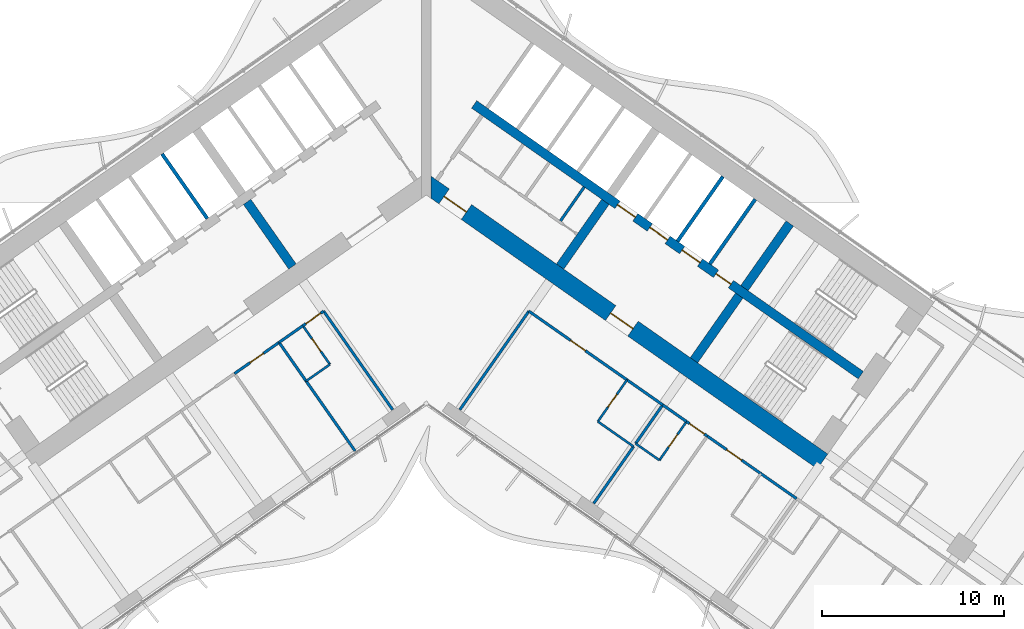
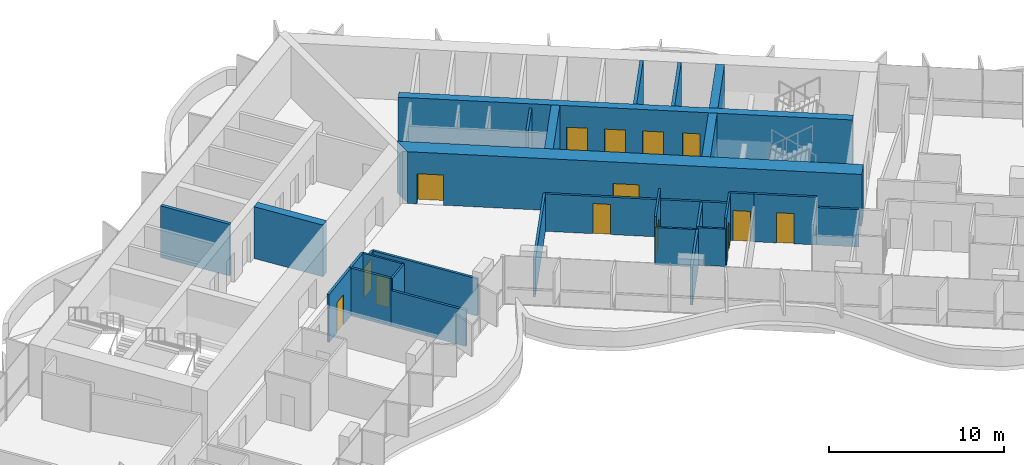
# One storey, part 15 of 25: 31 walls, 14 doors, 14 openings.
"""IFC4 building model written with IfcOpenShell, lengths in metres."""

from ifc_helpers import new_model, si_unit, direction, frame, frame_2d, origin, place, context, subcontext, project, spatial, polyline, rectangle, outline, extrude, material, layer, layer_set, type_object, element, fill, save


model = new_model("IFC4")

# Units and contexts
model_context = context("Model", 3, precision=1e-05, world=origin(), true_north=direction((0.0, 1.0)))
body_context = subcontext(model_context, "Body", "Model", "MODEL_VIEW")
ifc_project = project(units=[si_unit("LENGTHUNIT", "METRE"), si_unit("AREAUNIT", "SQUARE_METRE"), si_unit("VOLUMEUNIT", "CUBIC_METRE"), si_unit("PLANEANGLEUNIT", "RADIAN"), si_unit("MASSUNIT", "GRAM", prefix="KILO")], contexts=[model_context])

# Site, building, storey
site_placement = place(None, origin())
site = spatial("IfcSite", under=ifc_project, at=site_placement, CompositionType="ELEMENT")
building_placement = place(site_placement, origin())
building = spatial("IfcBuilding", under=site, at=building_placement, Name="Tel Ilan Convention Tower", CompositionType="ELEMENT")
storey_placement = place(building_placement, frame((0.0, 0.0, 97.699951171875)))
storey = spatial("IfcBuildingStorey", under=building, at=storey_placement, Name="L20", CompositionType="ELEMENT", Elevation=97.699951171875)

# Wall
ifc_material_1 = material(Name="Gypsum Plasterboard on Steel Stud", Category="steel")
ifc_layer_1 = layer(ifc_material_1, 0.14990234375)
ifc_layer_set_1 = layer_set([ifc_layer_1], Name="Core Room Partition Wall 150 mm EI 60")
wall_type_1 = type_object("IfcWallType", Name="Core Room Partition Wall 150 mm EI 60", PredefinedType="PARTITIONING", material=ifc_layer_set_1)
wall_1_placement = place(storey_placement, frame((7.395263671875, -2.64501953125, 0.0), z_axis=(0.0, 0.0, 1.0), x_axis=(0.573599181114, 0.819136117764, 0.0)))
element("IfcWall", 1, at=wall_1_placement, inside=storey, type_object=wall_type_1, Name="L20 core wall wc-v2", PredefinedType="PARTITIONING", context=body_context, shape_type="SweptSolid", body=[
    extrude(rectangle(XDim=2.27490234375, YDim=0.14990234375, at=frame_2d((1.137451171875, 0.0))), origin(), (0.0, 0.0, 1.0), 3.320068359375),
])

# Wall, openings, doors
ifc_material_2 = material(Name="Concrete C60/75", Category="concrete")
ifc_layer_2 = layer(ifc_material_2, 1.0)
ifc_layer_set_2 = layer_set([ifc_layer_2], Name="Core Shear Wall 1000 mm C60/75")
wall_type_2 = type_object("IfcWallType", Name="Core Shear Wall 1000 mm C60/75", PredefinedType="SHEAR", material=ifc_layer_set_2)
wall_2_placement = place(storey_placement, frame((-0.036865234375, -0.584716796875, 0.0), z_axis=(0.0, 0.0, 1.0), x_axis=(0.819157152511, -0.573569140985, 0.0)))
wall_2 = element("IfcWall", 2, at=wall_2_placement, inside=storey, type_object=wall_type_2, Name="L20 core wall E-front", PredefinedType="SHEAR", context=body_context, shape_type="SweptSolid", body=[
    extrude(outline(polyline([(26.69482421875, 0.499755859375), (0.0, 0.5), (0.7001953125, -0.499755859375), (26.69482421875, -0.500244140625), (26.69482421875, 0.499755859375)])), origin(), (0.0, 0.0, 1.0), 3.60009765625),
])
opening_1_placement = place(wall_2_placement, frame((1.244873046875, 0.0, 0.0)))
opening_1 = element("IfcOpeningElement", 3, at=opening_1_placement, cuts=wall_2, Name="Opening CD1803", PredefinedType="OPENING", context=body_context, shape_type="SweptSolid", body=[
    extrude(rectangle(XDim=1.5, YDim=2.10009765625, at=frame_2d((0.75, 1.050048828125))), frame((0.0, 0.510009765625, 0.0), z_axis=(0.0, -1.0, 0.0), x_axis=(1.0, 0.0, 0.0)), (0.0, 0.0, 1.0), 1.02001953125),
])
opening_2_placement = place(wall_2_placement, frame((12.44482421875, 0.0, 0.0)))
opening_2 = element("IfcOpeningElement", 4, at=opening_2_placement, cuts=wall_2, Name="Opening CD1804", PredefinedType="OPENING", context=body_context, shape_type="SweptSolid", body=[
    extrude(rectangle(XDim=1.5, YDim=2.10009765625, at=frame_2d((0.75, 1.050048828125))), frame((0.0, 0.510009765625, 0.0), z_axis=(0.0, -1.0, 0.0), x_axis=(1.0, 0.0, 0.0)), (0.0, 0.0, 1.0), 1.02001953125),
])
ifc_material_3 = material(Name="Glazed Aluminium Door Leaf", Category="aluminium")
door_type_1 = type_object("IfcDoorType", Name="Lobby Opening Door 1500 x 2100 FD60S", OperationType="NOTDEFINED", PredefinedType="DOOR", material=ifc_material_3)
door_1_placement = place(opening_2_placement, origin())
door_1 = element("IfcDoor", 5, at=door_1_placement, inside=storey, type_object=door_type_1, Name="Firefighting Lobby door", OperationType="DOUBLE_DOOR_SINGLE_SWING", OverallHeight=2.10009765625, OverallWidth=1.5, PredefinedType="DOOR", context=body_context, shape_type="SweptSolid", body=[
    extrude(rectangle(XDim=1.5, YDim=2.10009765625, at=frame_2d((0.75, 1.050048828125))), frame((0.0, 0.02490234375, 0.0), z_axis=(0.0, -1.0, 0.0), x_axis=(1.0, 0.0, 0.0)), (0.0, 0.0, 1.0), 0.050048828125),
])
fill(opening_2, door_1)
ifc_material_4 = material(Name="Laminated Timber Door Leaf", Category="wood")
door_type_2 = type_object("IfcDoorType", Name="Toilet Door 1500 x 2100 FD30S", OperationType="NOTDEFINED", PredefinedType="DOOR", material=ifc_material_4)
door_2_placement = place(opening_1_placement, origin())
door_2 = element("IfcDoor", 6, at=door_2_placement, inside=storey, type_object=door_type_2, Name="WC Lobby door", OperationType="SINGLE_SWING_RIGHT", OverallHeight=2.10009765625, OverallWidth=1.5, PredefinedType="DOOR", context=body_context, shape_type="SweptSolid", body=[
    extrude(rectangle(XDim=1.5, YDim=2.10009765625, at=frame_2d((0.75, 1.050048828125))), frame((0.0, 0.02490234375, 0.0), z_axis=(0.0, -1.0, 0.0), x_axis=(1.0, 0.0, 0.0)), (0.0, 0.0, 1.0), 0.050048828125),
])
fill(opening_1, door_2)

# Walls
ifc_material_5 = material(Name="Concrete C60/75", Category="concrete")
ifc_layer_3 = layer(ifc_material_5, 0.5)
ifc_layer_set_3 = layer_set([ifc_layer_3], Name="Core Shear Wall 500 mm C60/75")
wall_type_3 = type_object("IfcWallType", Name="Core Shear Wall 500 mm C60/75", PredefinedType="SHEAR", material=ifc_layer_set_3)
wall_3_placement = place(storey_placement, frame((-7.372314453125, -5.162109375, 0.0), z_axis=(0.0, 0.0, 1.0), x_axis=(-0.573594173421, 0.819139624372, 0.0)))
element("IfcWall", 7, at=wall_3_placement, inside=storey, type_object=wall_type_3, Name="L20 core wall W-cross1-1", PredefinedType="SHEAR", context=body_context, shape_type="SweptSolid", body=[
    extrude(outline(polyline([(4.349853515625, 0.25), (0.0, 0.250244140625), (0.0, -0.25), (4.349853515625, -0.25), (4.349853515625, 0.25)])), origin(), (0.0, 0.0, 1.0), 3.60009765625),
])
wall_4_placement = place(storey_placement, frame((7.372314453125, -5.162109375, 0.0), z_axis=(0.0, 0.0, 1.0), x_axis=(0.573594173421, 0.819139624372, 0.0)))
element("IfcWall", 8, at=wall_4_placement, inside=storey, type_object=wall_type_3, Name="L20 core wall E-cross1-1", PredefinedType="SHEAR", context=body_context, shape_type="SweptSolid", body=[
    extrude(outline(polyline([(0.0, 0.25), (0.0, -0.250244140625), (4.349853515625, -0.25), (4.349853515625, 0.25), (0.0, 0.25)])), origin(), (0.0, 0.0, 1.0), 3.60009765625),
])
wall_5_placement = place(storey_placement, frame((14.74462890625, -10.324462890625, 0.0), z_axis=(0.0, 0.0, 1.0), x_axis=(0.57356780395, 0.819158088694, 0.0)))
element("IfcWall", 9, at=wall_5_placement, inside=storey, type_object=wall_type_3, Name="L20 core wall E-cross2-1", PredefinedType="SHEAR", context=body_context, shape_type="SweptSolid", body=[
    extrude(outline(polyline([(0.0, 0.25), (0.0, -0.25), (4.35009765625, -0.250244140625), (4.35009765625, 0.25), (0.0, 0.25)])), origin(), (0.0, 0.0, 1.0), 3.60009765625),
])
wall_6_placement = place(storey_placement, frame((17.526611328125, -6.3515625, 0.0), z_axis=(0.0, 0.0, 1.0), x_axis=(0.573530143085, 0.819184457233, 0.0)))
element("IfcWall", 10, at=wall_6_placement, inside=storey, type_object=wall_type_3, Name="L20 core wall E-cross2-2", PredefinedType="SHEAR", context=body_context, shape_type="SweptSolid", body=[
    extrude(outline(polyline([(4.35009765625, -0.250244140625), (4.35009765625, 0.249755859375), (0.0, 0.25), (0.0, -0.25), (4.35009765625, -0.250244140625)])), origin(), (0.0, 0.0, 1.0), 3.60009765625),
])

# Wall, openings, doors
wall_7_placement = place(storey_placement, frame((2.638427734375, 3.76806640625, 0.0), z_axis=(0.0, 0.0, 1.0), x_axis=(0.819148977158, -0.573580816643, 0.0)))
wall_7 = element("IfcWall", 11, at=wall_7_placement, inside=storey, type_object=wall_type_3, Name="L20 core wall E-spine", PredefinedType="SHEAR", context=body_context, shape_type="SweptSolid", body=[
    extrude(outline(polyline([(0.0, 0.25), (0.0, -0.25), (26.0, -0.249755859375), (26.0, 0.250244140625), (0.0, 0.25)])), origin(), (0.0, 0.0, 1.0), 3.60009765625),
])
opening_3_placement = place(wall_7_placement, frame((9.637451171875, 0.0, 0.0)))
opening_3 = element("IfcOpeningElement", 12, at=opening_3_placement, cuts=wall_7, Name="Opening LD1801", PredefinedType="OPENING", context=body_context, shape_type="SweptSolid", body=[
    extrude(rectangle(XDim=1.199951171875, YDim=2.10009765625, at=frame_2d((0.60009765625, 1.050048828125))), frame((0.0, 0.260009765625, 0.0), z_axis=(0.0, -1.0, 0.0), x_axis=(1.0, 0.0, 0.0)), (0.0, 0.0, 1.0), 0.52001953125),
])
opening_4_placement = place(wall_7_placement, frame((11.8125, 0.0, 0.0)))
opening_4 = element("IfcOpeningElement", 13, at=opening_4_placement, cuts=wall_7, Name="Opening LD1802", PredefinedType="OPENING", context=body_context, shape_type="SweptSolid", body=[
    extrude(rectangle(XDim=1.199951171875, YDim=2.10009765625, at=frame_2d((0.60009765625, 1.050048828125))), frame((0.0, 0.260009765625, 0.0), z_axis=(0.0, -1.0, 0.0), x_axis=(1.0, 0.0, 0.0)), (0.0, 0.0, 1.0), 0.52001953125),
])
opening_5_placement = place(wall_7_placement, frame((13.987548828125, 0.0, 0.0)))
opening_5 = element("IfcOpeningElement", 14, at=opening_5_placement, cuts=wall_7, Name="Opening LD1803", PredefinedType="OPENING", context=body_context, shape_type="SweptSolid", body=[
    extrude(rectangle(XDim=1.199951171875, YDim=2.10009765625, at=frame_2d((0.60009765625, 1.050048828125))), frame((0.0, 0.260009765625, 0.0), z_axis=(0.0, -1.0, 0.0), x_axis=(1.0, 0.0, 0.0)), (0.0, 0.0, 1.0), 0.52001953125),
])
opening_6_placement = place(wall_7_placement, frame((16.262451171875, 0.0, 0.0)))
opening_6 = element("IfcOpeningElement", 15, at=opening_6_placement, cuts=wall_7, Name="Opening CD1807", PredefinedType="OPENING", context=body_context, shape_type="SweptSolid", body=[
    extrude(rectangle(XDim=1.0, YDim=2.10009765625, at=frame_2d((0.5, 1.050048828125))), frame((0.0, 0.260009765625, 0.0), z_axis=(0.0, -1.0, 0.0), x_axis=(1.0, 0.0, 0.0)), (0.0, 0.0, 1.0), 0.52001953125),
])
ifc_material_6 = material(Name="Stainless Steel Sliding Door Leaf", Category="steel")
door_type_3 = type_object("IfcDoorType", Name="Lift Landing Door 1200 x 2100 FD120", OperationType="NOTDEFINED", PredefinedType="DOOR", material=ifc_material_6)
door_3_placement = place(opening_3_placement, origin())
door_3 = element("IfcDoor", 16, at=door_3_placement, inside=storey, type_object=door_type_3, Name="Lift FL1 landing door", OperationType="SLIDING_TO_LEFT", OverallHeight=2.10009765625, OverallWidth=1.199951171875, PredefinedType="DOOR", context=body_context, shape_type="SweptSolid", body=[
    extrude(rectangle(XDim=1.199951171875, YDim=2.10009765625, at=frame_2d((0.60009765625, 1.050048828125))), frame((0.0, 0.02490234375, 0.0), z_axis=(0.0, -1.0, 0.0), x_axis=(1.0, 0.0, 0.0)), (0.0, 0.0, 1.0), 0.050048828125),
])
fill(opening_3, door_3)
door_4_placement = place(opening_4_placement, origin())
door_4 = element("IfcDoor", 17, at=door_4_placement, inside=storey, type_object=door_type_3, Name="Lift FL2 landing door", OperationType="SLIDING_TO_RIGHT", OverallHeight=2.10009765625, OverallWidth=1.199951171875, PredefinedType="DOOR", context=body_context, shape_type="SweptSolid", body=[
    extrude(rectangle(XDim=1.199951171875, YDim=2.10009765625, at=frame_2d((0.60009765625, 1.050048828125))), frame((0.0, 0.02490234375, 0.0), z_axis=(0.0, -1.0, 0.0), x_axis=(1.0, 0.0, 0.0)), (0.0, 0.0, 1.0), 0.050048828125),
])
fill(opening_4, door_4)
door_5_placement = place(opening_5_placement, origin())
door_5 = element("IfcDoor", 18, at=door_5_placement, inside=storey, type_object=door_type_3, Name="Lift FL3 landing door", OperationType="SLIDING_TO_LEFT", OverallHeight=2.10009765625, OverallWidth=1.199951171875, PredefinedType="DOOR", context=body_context, shape_type="SweptSolid", body=[
    extrude(rectangle(XDim=1.199951171875, YDim=2.10009765625, at=frame_2d((0.60009765625, 1.050048828125))), frame((0.0, 0.02490234375, 0.0), z_axis=(0.0, -1.0, 0.0), x_axis=(1.0, 0.0, 0.0)), (0.0, 0.0, 1.0), 0.050048828125),
])
fill(opening_5, door_5)
ifc_material_7 = material(Name="Galvanised Steel Door Leaf", Category="steel")
door_type_4 = type_object("IfcDoorType", Name="Service Room Door 1000 x 2100 FD60", OperationType="NOTDEFINED", PredefinedType="DOOR", material=ifc_material_7)
door_6_placement = place(opening_6_placement, origin())
door_6 = element("IfcDoor", 19, at=door_6_placement, inside=storey, type_object=door_type_4, Name="Plant Room door", OperationType="SINGLE_SWING_RIGHT", OverallHeight=2.10009765625, OverallWidth=1.0, PredefinedType="DOOR", context=body_context, shape_type="SweptSolid", body=[
    extrude(rectangle(XDim=1.0, YDim=2.10009765625, at=frame_2d((0.5, 1.050048828125))), frame((0.0, 0.02490234375, 0.0), z_axis=(0.0, -1.0, 0.0), x_axis=(1.0, 0.0, 0.0)), (0.0, 0.0, 1.0), 0.050048828125),
])
fill(opening_6, door_6)

# Wall, opening, door
ifc_material_8 = material(Name="Plasterboard on Steel Studs", Category="steel")
ifc_layer_4 = layer(ifc_material_8, 0.14990234375)
ifc_layer_set_4 = layer_set([ifc_layer_4], Name="Fire-rated Partition 150 EI 60")
wall_type_4 = type_object("IfcWallType", Name="Fire-rated Partition 150 EI 60", PredefinedType="PARTITIONING", material=ifc_layer_set_4)
wall_8_placement = place(storey_placement, frame((11.058837890625, -11.40576171875, 0.0), z_axis=(0.0, 0.0, 1.0), x_axis=(-0.819155459934, 0.573571558274, 0.0)))
wall_8 = element("IfcWall", 20, at=wall_8_placement, inside=storey, type_object=wall_type_4, Name="Partition 007", PredefinedType="PARTITIONING", context=body_context, shape_type="SweptSolid", body=[
    extrude(rectangle(XDim=6.60107421875, YDim=0.14990234375, at=frame_2d((3.300537109375, 0.0))), origin(), (0.0, 0.0, 1.0), 2.60009765625),
])
opening_7_placement = place(wall_8_placement, frame((2.801025390625, 0.0, 0.0)))
opening_7 = element("IfcOpeningElement", 21, at=opening_7_placement, cuts=wall_8, Name="Opening L20-019", PredefinedType="OPENING", context=body_context, shape_type="SweptSolid", body=[
    extrude(rectangle(XDim=1.0, YDim=2.10009765625, at=frame_2d((0.5, 1.050048828125))), frame((0.0, 0.0849609375, 0.0), z_axis=(0.0, -1.0, 0.0), x_axis=(1.0, 0.0, 0.0)), (0.0, 0.0, 1.0), 0.169921875),
])
ifc_material_9 = material(Name="Timber Door Leaf in Steel Frame", Category="steel")
door_type_5 = type_object("IfcDoorType", Name="Hotel Room Entrance Fire Door 1000x2100", OperationType="NOTDEFINED", PredefinedType="DOOR", material=ifc_material_9)
door_7_placement = place(opening_7_placement, origin())
door_7 = element("IfcDoor", 22, at=door_7_placement, inside=storey, type_object=door_type_5, Name="Door L20-019", OperationType="SINGLE_SWING_RIGHT", OverallHeight=2.10009765625, OverallWidth=1.0, PredefinedType="DOOR", context=body_context, shape_type="SweptSolid", body=[
    extrude(rectangle(XDim=1.0, YDim=2.10009765625, at=frame_2d((0.5, 1.050048828125))), frame((0.0, 0.02490234375, 0.0), z_axis=(0.0, -1.0, 0.0), x_axis=(1.0, 0.0, 0.0)), (0.0, 0.0, 1.0), 0.050048828125),
])
fill(opening_7, door_7)

# Wall
wall_9_placement = place(storey_placement, frame((13.025634765625, -12.782958984375, 0.0), z_axis=(0.0, 0.0, 1.0), x_axis=(-0.819146032251, 0.573585022335, 0.0)))
element("IfcWall", 23, at=wall_9_placement, inside=storey, type_object=wall_type_4, Name="Partition 008", PredefinedType="PARTITIONING", context=body_context, shape_type="SweptSolid", body=[
    extrude(rectangle(XDim=2.404052734375, YDim=0.14990234375, at=frame_2d((1.2021484375, 0.0))), origin(), (0.0, 0.0, 1.0), 2.60009765625),
])

# Wall, opening, door
wall_10_placement = place(storey_placement, frame((15.483154296875, -14.503662109375, 0.0), z_axis=(0.0, 0.0, 1.0), x_axis=(-0.819199220913, 0.573509055252, 0.0)))
wall_10 = element("IfcWall", 24, at=wall_10_placement, inside=storey, type_object=wall_type_4, Name="Partition 009", PredefinedType="PARTITIONING", context=body_context, shape_type="SweptSolid", body=[
    extrude(rectangle(XDim=1.403076171875, YDim=0.14990234375, at=frame_2d((0.70166015625, 0.0))), origin(), (0.0, 0.0, 1.0), 3.320068359375),
])
opening_8_placement = place(wall_10_placement, frame((0.201904296875, 0.0, 0.0)))
opening_8 = element("IfcOpeningElement", 25, at=opening_8_placement, cuts=wall_10, Name="Opening L20-021", PredefinedType="OPENING", context=body_context, shape_type="SweptSolid", body=[
    extrude(rectangle(XDim=1.0, YDim=2.10009765625, at=frame_2d((0.5, 1.050048828125))), frame((0.0, 0.0849609375, 0.0), z_axis=(0.0, -1.0, 0.0), x_axis=(1.0, 0.0, 0.0)), (0.0, 0.0, 1.0), 0.169921875),
])
door_8_placement = place(opening_8_placement, origin())
door_8 = element("IfcDoor", 26, at=door_8_placement, inside=storey, type_object=door_type_5, Name="Door L20-021", OperationType="SINGLE_SWING_RIGHT", OverallHeight=2.10009765625, OverallWidth=1.0, PredefinedType="DOOR", context=body_context, shape_type="SweptSolid", body=[
    extrude(rectangle(XDim=1.0, YDim=2.10009765625, at=frame_2d((0.5, 1.050048828125))), frame((0.0, 0.02490234375, 0.0), z_axis=(0.0, -1.0, 0.0), x_axis=(1.0, 0.0, 0.0)), (0.0, 0.0, 1.0), 0.050048828125),
])
fill(opening_8, door_8)

# Wall
wall_11_placement = place(storey_placement, frame((14.336181640625, -13.70068359375, 0.0), z_axis=(0.0, 0.0, 1.0), x_axis=(-0.819138938282, 0.573595153214, 0.0)))
element("IfcWall", 27, at=wall_11_placement, inside=storey, type_object=wall_type_4, Name="Partition 010", PredefinedType="PARTITIONING", context=body_context, shape_type="SweptSolid", body=[
    extrude(rectangle(XDim=1.603759765625, YDim=0.14990234375, at=frame_2d((0.8017578125, 0.0))), origin(), (0.0, 0.0, 1.0), 2.60009765625),
])

# Wall, opening, door
wall_12_placement = place(storey_placement, frame((18.43115234375, -16.568115234375, 0.0), z_axis=(0.0, 0.0, 1.0), x_axis=(-0.819145961204, 0.573585123798, 0.0)))
wall_12 = element("IfcWall", 28, at=wall_12_placement, inside=storey, type_object=wall_type_4, Name="Partition 011", PredefinedType="PARTITIONING", context=body_context, shape_type="SweptSolid", body=[
    extrude(rectangle(XDim=3.60302734375, YDim=0.14990234375, at=frame_2d((1.801513671875, 0.0))), origin(), (0.0, 0.0, 1.0), 3.320068359375),
])
opening_9_placement = place(wall_12_placement, frame((1.301025390625, 0.0, 0.0)))
opening_9 = element("IfcOpeningElement", 29, at=opening_9_placement, cuts=wall_12, Name="Opening L20-023", PredefinedType="OPENING", context=body_context, shape_type="SweptSolid", body=[
    extrude(rectangle(XDim=1.0, YDim=2.10009765625, at=frame_2d((0.5, 1.050048828125))), frame((0.0, 0.0849609375, 0.0), z_axis=(0.0, -1.0, 0.0), x_axis=(1.0, 0.0, 0.0)), (0.0, 0.0, 1.0), 0.169921875),
])
door_9_placement = place(opening_9_placement, origin())
door_9 = element("IfcDoor", 30, at=door_9_placement, inside=storey, type_object=door_type_5, Name="Door L20-023", OperationType="SINGLE_SWING_LEFT", OverallHeight=2.10009765625, OverallWidth=1.0, PredefinedType="DOOR", context=body_context, shape_type="SweptSolid", body=[
    extrude(rectangle(XDim=1.0, YDim=2.10009765625, at=frame_2d((0.5, 1.050048828125))), frame((0.0, 0.02490234375, 0.0), z_axis=(0.0, -1.0, 0.0), x_axis=(1.0, 0.0, 0.0)), (0.0, 0.0, 1.0), 0.050048828125),
])
fill(opening_9, door_9)

# Wall
wall_13_placement = place(storey_placement, frame((20.39794921875, -17.9453125, 0.0), z_axis=(0.0, 0.0, 1.0), x_axis=(-0.819146032251, 0.573585022335, 0.0)))
element("IfcWall", 31, at=wall_13_placement, inside=storey, type_object=wall_type_4, Name="Partition 012", PredefinedType="PARTITIONING", context=body_context, shape_type="SweptSolid", body=[
    extrude(rectangle(XDim=2.404052734375, YDim=0.14990234375, at=frame_2d((1.2021484375, 0.0))), origin(), (0.0, 0.0, 1.0), 2.60009765625),
])

# Wall, opening, door
wall_14_placement = place(storey_placement, frame((-5.651611328125, -7.61962890625, 0.0), z_axis=(0.0, 0.0, 1.0), x_axis=(-0.819207359301, -0.573497430219, 0.0)))
wall_14 = element("IfcWall", 32, at=wall_14_placement, inside=storey, type_object=wall_type_4, Name="Partition 024", PredefinedType="PARTITIONING", context=body_context, shape_type="SweptSolid", body=[
    extrude(rectangle(XDim=1.40087890625, YDim=0.14990234375, at=frame_2d((0.700439453125, 0.0))), origin(), (0.0, 0.0, 1.0), 2.60009765625),
])
opening_10_placement = place(wall_14_placement, frame((0.199951171875, 0.0, 0.0)))
opening_10 = element("IfcOpeningElement", 33, at=opening_10_placement, cuts=wall_14, Name="Opening L20-002", PredefinedType="OPENING", context=body_context, shape_type="SweptSolid", body=[
    extrude(rectangle(XDim=1.0, YDim=2.10009765625, at=frame_2d((0.5, 1.050048828125))), frame((0.0, 0.0849609375, 0.0), z_axis=(0.0, -1.0, 0.0), x_axis=(1.0, 0.0, 0.0)), (0.0, 0.0, 1.0), 0.169921875),
])
door_10_placement = place(opening_10_placement, origin())
door_10 = element("IfcDoor", 34, at=door_10_placement, inside=storey, type_object=door_type_5, Name="Door L20-002", OperationType="SINGLE_SWING_LEFT", OverallHeight=2.10009765625, OverallWidth=1.0, PredefinedType="DOOR", context=body_context, shape_type="SweptSolid", body=[
    extrude(rectangle(XDim=1.0, YDim=2.10009765625, at=frame_2d((0.5, 1.050048828125))), frame((0.0, 0.02490234375, 0.0), z_axis=(0.0, -1.0, 0.0), x_axis=(1.0, 0.0, 0.0)), (0.0, 0.0, 1.0), 0.050048828125),
])
fill(opening_10, door_10)

# Wall
wall_15_placement = place(storey_placement, frame((-6.796875, -8.42138671875, 0.0), z_axis=(0.0, 0.0, 1.0), x_axis=(-0.8190674132, -0.573697283098, 0.0)))
element("IfcWall", 35, at=wall_15_placement, inside=storey, type_object=wall_type_4, Name="Partition 025", PredefinedType="PARTITIONING", context=body_context, shape_type="SweptSolid", body=[
    extrude(rectangle(XDim=1.60400390625, YDim=0.14990234375, at=frame_2d((0.802001953125, 0.0))), origin(), (0.0, 0.0, 1.0), 3.320068359375),
])

# Wall, opening, door
wall_16_placement = place(storey_placement, frame((-8.107421875, -9.339111328125, 0.0), z_axis=(0.0, 0.0, 1.0), x_axis=(-0.819128818764, -0.573609604409, 0.0)))
wall_16 = element("IfcWall", 36, at=wall_16_placement, inside=storey, type_object=wall_type_4, Name="Partition 026", PredefinedType="PARTITIONING", context=body_context, shape_type="SweptSolid", body=[
    extrude(rectangle(XDim=3.004150390625, YDim=0.14990234375, at=frame_2d((1.501953125, 0.0))), origin(), (0.0, 0.0, 1.0), 3.320068359375),
])
opening_11_placement = place(wall_16_placement, frame((1.052001953125, 0.0, 0.0)))
opening_11 = element("IfcOpeningElement", 37, at=opening_11_placement, cuts=wall_16, Name="Opening L20-003", PredefinedType="OPENING", context=body_context, shape_type="SweptSolid", body=[
    extrude(rectangle(XDim=0.89990234375, YDim=2.10009765625, at=frame_2d((0.449951171875, 1.050048828125))), frame((0.0, 0.0849609375, 0.0), z_axis=(0.0, -1.0, 0.0), x_axis=(1.0, 0.0, 0.0)), (0.0, 0.0, 1.0), 0.169921875),
])
ifc_material_10 = material(Name="Timber Door Leaf in Steel Frame", Category="steel")
door_type_6 = type_object("IfcDoorType", Name="Room Fire Door 900x2100", OperationType="NOTDEFINED", PredefinedType="DOOR", material=ifc_material_10)
door_11_placement = place(opening_11_placement, origin())
door_11 = element("IfcDoor", 38, at=door_11_placement, inside=storey, type_object=door_type_6, Name="Door L20-003", OperationType="SINGLE_SWING_RIGHT", OverallHeight=2.10009765625, OverallWidth=0.89990234375, PredefinedType="DOOR", context=body_context, shape_type="SweptSolid", body=[
    extrude(rectangle(XDim=0.89990234375, YDim=2.10009765625, at=frame_2d((0.449951171875, 1.050048828125))), frame((0.0, 0.02490234375, 0.0), z_axis=(0.0, -1.0, 0.0), x_axis=(1.0, 0.0, 0.0)), (0.0, 0.0, 1.0), 0.050048828125),
])
fill(opening_11, door_11)

# Walls
wall_17_placement = place(storey_placement, frame((11.41748046875, -15.076416015625, 0.0), z_axis=(0.0, 0.0, 1.0), x_axis=(-0.573594994199, -0.819139049631, 0.0)))
element("IfcWall", 39, at=wall_17_placement, inside=storey, type_object=wall_type_4, Name="Partition 052", PredefinedType="PARTITIONING", context=body_context, shape_type="SweptSolid", body=[
    extrude(rectangle(XDim=3.8291015625, YDim=0.14990234375, at=frame_2d((1.91455078125, 0.0))), origin(), (0.0, 0.0, 1.0), 2.60009765625),
])
wall_18_placement = place(storey_placement, frame((1.848876953125, -13.050537109375, 0.0), z_axis=(0.0, 0.0, 1.0), x_axis=(0.57357355307, 0.819154063177, 0.0)))
element("IfcWall", 40, at=wall_18_placement, inside=storey, type_object=wall_type_4, Name="Partition 053", PredefinedType="PARTITIONING", context=body_context, shape_type="SweptSolid", body=[
    extrude(rectangle(XDim=6.6298828125, YDim=0.14990234375, at=frame_2d((3.31494140625, 0.0))), origin(), (0.0, 0.0, 1.0), 2.60009765625),
])
wall_19_placement = place(storey_placement, frame((13.02392578125, -12.78173828125, 0.0), z_axis=(0.0, 0.0, 1.0), x_axis=(-0.573544201094, -0.819174614714, 0.0)))
element("IfcWall", 41, at=wall_19_placement, inside=storey, type_object=wall_type_4, Name="Partition 054", PredefinedType="PARTITIONING", context=body_context, shape_type="SweptSolid", body=[
    extrude(rectangle(XDim=2.60205078125, YDim=0.14990234375, at=frame_2d((1.301025390625, 0.0))), origin(), (0.0, 0.0, 1.0), 2.60009765625),
])
wall_20_placement = place(storey_placement, frame((-1.848876953125, -13.050537109375, 0.0), z_axis=(0.0, 0.0, 1.0), x_axis=(-0.573575988258, 0.819152358047, 0.0)))
element("IfcWall", 42, at=wall_20_placement, inside=storey, type_object=wall_type_4, Name="Partition 071", PredefinedType="PARTITIONING", context=body_context, shape_type="SweptSolid", body=[
    extrude(rectangle(XDim=6.632080078125, YDim=0.14990234375, at=frame_2d((3.31591796875, 0.0))), origin(), (0.0, 0.0, 1.0), 2.60009765625),
])
wall_21_placement = place(storey_placement, frame((-3.922119140625, -15.3203125, 0.0), z_axis=(0.0, 0.0, 1.0), x_axis=(-0.573535567792, 0.819180659243, 0.0)))
element("IfcWall", 43, at=wall_21_placement, inside=storey, type_object=wall_type_4, Name="Partition 085", PredefinedType="PARTITIONING", context=body_context, shape_type="SweptSolid", body=[
    extrude(rectangle(XDim=4.698974609375, YDim=0.14990234375, at=frame_2d((2.349609375, 0.0))), origin(), (0.0, 0.0, 1.0), 2.5),
])
wall_22_placement = place(storey_placement, frame((-6.617919921875, -11.47021484375, 0.0), z_axis=(0.0, 0.0, 1.0), x_axis=(-0.573537965655, 0.819178980414, 0.0)))
element("IfcWall", 44, at=wall_22_placement, inside=storey, type_object=wall_type_4, Name="Partition 086", PredefinedType="PARTITIONING", context=body_context, shape_type="SweptSolid", body=[
    extrude(rectangle(XDim=2.60009765625, YDim=0.14990234375, at=frame_2d((1.300048828125, 0.0))), origin(), (0.0, 0.0, 1.0), 3.320068359375),
])
ifc_material_11 = material(Name="Concrete C30/37", Category="concrete")
ifc_layer_5 = layer(ifc_material_11, 0.199951171875)
ifc_layer_set_5 = layer_set([ifc_layer_5], Name="Lift Shaft Wall 200 mm C30/37")
wall_type_5 = type_object("IfcWallType", Name="Lift Shaft Wall 200 mm C30/37", PredefinedType="SOLIDWALL", material=ifc_layer_set_5)
wall_23_placement = place(storey_placement, frame((-12.05859375, -2.52294921875, 0.0), z_axis=(0.0, 0.0, 1.0), x_axis=(-0.573594173421, 0.819139624372, 0.0)))
element("IfcWall", 45, at=wall_23_placement, inside=storey, type_object=wall_type_5, Name="L20 core wall bank-W2-p0", PredefinedType="SOLIDWALL", context=body_context, shape_type="SweptSolid", body=[
    extrude(rectangle(XDim=4.349853515625, YDim=0.199951171875, at=frame_2d((2.1748046875, 0.0))), origin(), (0.0, 0.0, 1.0), 3.60009765625),
])
wall_24_placement = place(storey_placement, frame((13.84033203125, -3.7705078125, 0.0), z_axis=(0.0, 0.0, 1.0), x_axis=(0.57356780395, 0.819158088694, 0.0)))
element("IfcWall", 46, at=wall_24_placement, inside=storey, type_object=wall_type_5, Name="L20 core wall bank-E2-p1", PredefinedType="SOLIDWALL", context=body_context, shape_type="SweptSolid", body=[
    extrude(rectangle(XDim=4.35009765625, YDim=0.199951171875, at=frame_2d((2.175048828125, 0.0))), origin(), (0.0, 0.0, 1.0), 3.60009765625),
])
wall_25_placement = place(storey_placement, frame((15.6220703125, -5.017822265625, 0.0), z_axis=(0.0, 0.0, 1.0), x_axis=(0.573594173421, 0.819139624372, 0.0)))
element("IfcWall", 47, at=wall_25_placement, inside=storey, type_object=wall_type_5, Name="L20 core wall bank-E2-p2", PredefinedType="SOLIDWALL", context=body_context, shape_type="SweptSolid", body=[
    extrude(rectangle(XDim=4.349853515625, YDim=0.199951171875, at=frame_2d((2.1748046875, 0.0))), origin(), (0.0, 0.0, 1.0), 3.60009765625),
])

# Wall, opening, door
ifc_material_12 = material(Name="Plasterboard on Steel Studs", Category="steel")
ifc_layer_6 = layer(ifc_material_12, 0.1201171875)
ifc_layer_set_6 = layer_set([ifc_layer_6], Name="Moisture-resistant Partition 120")
wall_type_6 = type_object("IfcWallType", Name="Moisture-resistant Partition 120", PredefinedType="PARTITIONING", material=ifc_layer_set_6)
wall_26_placement = place(storey_placement, frame((11.05712890625, -11.40478515625, 0.0), z_axis=(0.0, 0.0, 1.0), x_axis=(-0.573591086599, -0.819141785879, 0.0)))
wall_26 = element("IfcWall", 48, at=wall_26_placement, inside=storey, type_object=wall_type_6, Name="Partition 050", PredefinedType="PARTITIONING", context=body_context, shape_type="SweptSolid", body=[
    extrude(rectangle(XDim=2.7998046875, YDim=0.1201171875, at=frame_2d((1.39990234375, 0.0))), origin(), (0.0, 0.0, 1.0), 3.320068359375),
])
opening_12_placement = place(wall_26_placement, frame((0.97509765625, 0.0, 0.0)))
opening_12 = element("IfcOpeningElement", 49, at=opening_12_placement, cuts=wall_26, Name="Opening L20-018", PredefinedType="OPENING", context=body_context, shape_type="SweptSolid", body=[
    extrude(rectangle(XDim=0.85009765625, YDim=2.050048828125, at=frame_2d((0.425048828125, 1.02490234375))), frame((0.0, 0.070068359375, 0.0), z_axis=(0.0, -1.0, 0.0), x_axis=(1.0, 0.0, 0.0)), (0.0, 0.0, 1.0), 0.14013671875),
])
ifc_material_13 = material(Name="Timber Door Leaf in Steel Frame", Category="steel")
door_type_7 = type_object("IfcDoorType", Name="Bathroom Timber Door 850x2050", OperationType="NOTDEFINED", PredefinedType="DOOR", material=ifc_material_13)
door_12_placement = place(opening_12_placement, origin())
door_12 = element("IfcDoor", 50, at=door_12_placement, inside=storey, type_object=door_type_7, Name="Door L20-018", OperationType="SINGLE_SWING_RIGHT", OverallHeight=2.050048828125, OverallWidth=0.85009765625, PredefinedType="DOOR", context=body_context, shape_type="SweptSolid", body=[
    extrude(rectangle(XDim=0.85009765625, YDim=2.050048828125, at=frame_2d((0.425048828125, 1.02490234375))), frame((0.0, 0.02490234375, 0.0), z_axis=(0.0, -1.0, 0.0), x_axis=(1.0, 0.0, 0.0)), (0.0, 0.0, 1.0), 0.050048828125),
])
fill(opening_12, door_12)

# Walls
wall_27_placement = place(storey_placement, frame((9.451416015625, -13.69970703125, 0.0), z_axis=(0.0, 0.0, 1.0), x_axis=(0.819141114317, -0.573592045652, 0.0)))
element("IfcWall", 51, at=wall_27_placement, inside=storey, type_object=wall_type_6, Name="Partition 051", PredefinedType="PARTITIONING", context=body_context, shape_type="SweptSolid", body=[
    extrude(rectangle(XDim=2.400146484375, YDim=0.1201171875, at=frame_2d((1.2001953125, 0.0))), origin(), (0.0, 0.0, 1.0), 2.60009765625),
])
wall_28_placement = place(storey_placement, frame((11.531982421875, -14.912353515625, 0.0), z_axis=(0.0, 0.0, 1.0), x_axis=(0.81918174131, -0.573534022273, 0.0)))
element("IfcWall", 52, at=wall_28_placement, inside=storey, type_object=wall_type_6, Name="Partition 055", PredefinedType="PARTITIONING", context=body_context, shape_type="SweptSolid", body=[
    extrude(rectangle(XDim=1.60009765625, YDim=0.1201171875, at=frame_2d((0.800048828125, 0.0))), origin(), (0.0, 0.0, 1.0), 2.60009765625),
])

# Wall, opening, door
wall_29_placement = place(storey_placement, frame((12.84423828125, -15.829833984375, 0.0), z_axis=(0.0, 0.0, 1.0), x_axis=(0.573582085028, 0.819148089014, 0.0)))
wall_29 = element("IfcWall", 53, at=wall_29_placement, inside=storey, type_object=wall_type_6, Name="Partition 056", PredefinedType="PARTITIONING", context=body_context, shape_type="SweptSolid", body=[
    extrude(rectangle(XDim=2.599853515625, YDim=0.1201171875, at=frame_2d((1.2998046875, 0.0))), origin(), (0.0, 0.0, 1.0), 3.320068359375),
])
opening_13_placement = place(wall_29_placement, frame((0.875, 0.0, 0.0)))
opening_13 = element("IfcOpeningElement", 54, at=opening_13_placement, cuts=wall_29, Name="Opening L20-020", PredefinedType="OPENING", context=body_context, shape_type="SweptSolid", body=[
    extrude(rectangle(XDim=0.85009765625, YDim=2.050048828125, at=frame_2d((0.425048828125, 1.02490234375))), frame((0.0, 0.070068359375, 0.0), z_axis=(0.0, -1.0, 0.0), x_axis=(1.0, 0.0, 0.0)), (0.0, 0.0, 1.0), 0.14013671875),
])
door_13_placement = place(opening_13_placement, origin())
door_13 = element("IfcDoor", 55, at=door_13_placement, inside=storey, type_object=door_type_7, Name="Door L20-020", OperationType="SINGLE_SWING_LEFT", OverallHeight=2.050048828125, OverallWidth=0.85009765625, PredefinedType="DOOR", context=body_context, shape_type="SweptSolid", body=[
    extrude(rectangle(XDim=0.85009765625, YDim=2.050048828125, at=frame_2d((0.425048828125, 1.02490234375))), frame((0.0, 0.02490234375, 0.0), z_axis=(0.0, -1.0, 0.0), x_axis=(1.0, 0.0, 0.0)), (0.0, 0.0, 1.0), 0.050048828125),
])
fill(opening_13, door_13)

# Wall
wall_30_placement = place(storey_placement, frame((-6.6171875, -11.470947265625, 0.0), z_axis=(0.0, 0.0, 1.0), x_axis=(0.819131543282, 0.57360571371, 0.0)))
element("IfcWall", 56, at=wall_30_placement, inside=storey, type_object=wall_type_6, Name="Partition 083", PredefinedType="PARTITIONING", context=body_context, shape_type="SweptSolid", body=[
    extrude(rectangle(XDim=1.599853515625, YDim=0.1201171875, at=frame_2d((0.7998046875, 0.0))), origin(), (0.0, 0.0, 1.0), 3.320068359375),
])

# Wall, opening, door
wall_31_placement = place(storey_placement, frame((-5.306396484375, -10.552001953125, 0.0), z_axis=(0.0, 0.0, 1.0), x_axis=(-0.573537965655, 0.819178980414, 0.0)))
wall_31 = element("IfcWall", 57, at=wall_31_placement, inside=storey, type_object=wall_type_6, Name="Partition 084", PredefinedType="PARTITIONING", context=body_context, shape_type="SweptSolid", body=[
    extrude(rectangle(XDim=2.60009765625, YDim=0.1201171875, at=frame_2d((1.300048828125, 0.0))), origin(), (0.0, 0.0, 1.0), 3.320068359375),
])
opening_14_placement = place(wall_31_placement, frame((0.875, 0.0, 0.0)))
opening_14 = element("IfcOpeningElement", 58, at=opening_14_placement, cuts=wall_31, Name="Opening L20-001", PredefinedType="OPENING", context=body_context, shape_type="SweptSolid", body=[
    extrude(rectangle(XDim=0.85009765625, YDim=2.050048828125, at=frame_2d((0.425048828125, 1.02490234375))), frame((0.0, 0.070068359375, 0.0), z_axis=(0.0, -1.0, 0.0), x_axis=(1.0, 0.0, 0.0)), (0.0, 0.0, 1.0), 0.14013671875),
])
door_14_placement = place(opening_14_placement, origin())
door_14 = element("IfcDoor", 59, at=door_14_placement, inside=storey, type_object=door_type_7, Name="Door L20-001", OperationType="SINGLE_SWING_RIGHT", OverallHeight=2.050048828125, OverallWidth=0.85009765625, PredefinedType="DOOR", context=body_context, shape_type="SweptSolid", body=[
    extrude(rectangle(XDim=0.85009765625, YDim=2.050048828125, at=frame_2d((0.425048828125, 1.02490234375))), frame((0.0, 0.02490234375, 0.0), z_axis=(0.0, -1.0, 0.0), x_axis=(1.0, 0.0, 0.0)), (0.0, 0.0, 1.0), 0.050048828125),
])
fill(opening_14, door_14)

save(model, "model.ifc")
